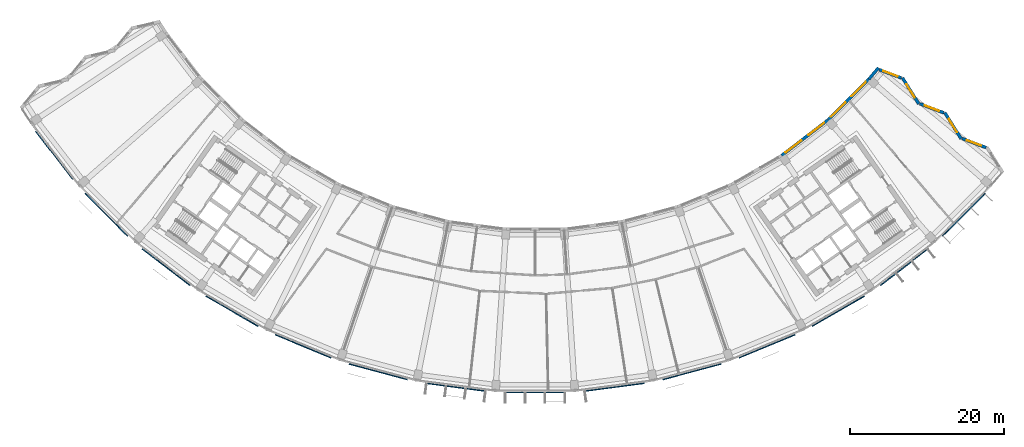
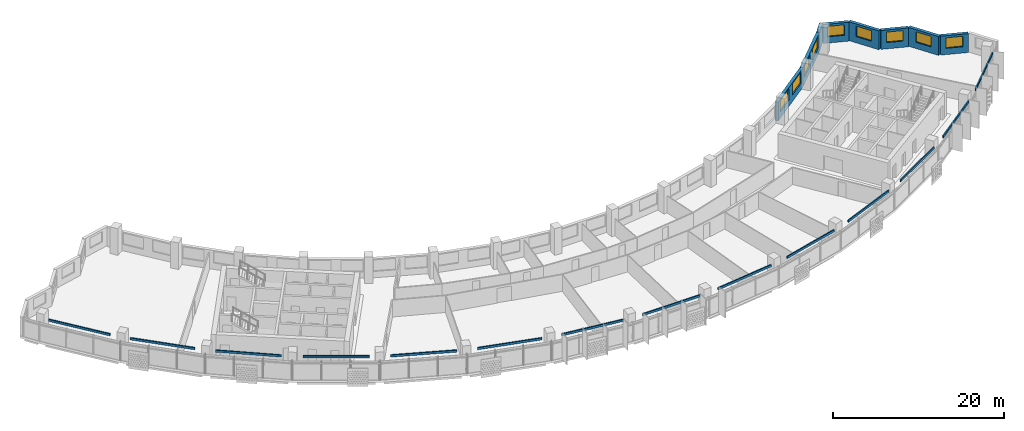
# One storey, part 8 of 27: 14 discrete accessories, 9 windows, 8 walls, 9 openings.
"""IFC4 building model written with IfcOpenShell, lengths in metres."""

from ifc_helpers import new_model, si_unit, direction, frame, frame_2d, origin, origin_2d, place, context, subcontext, project, spatial, rectangle, extrude, material, layer, layer_set, type_object, element, fill, save


model = new_model("IFC4")

# Units and contexts
model_context = context("Model", 3, precision=1e-05, world=origin(), true_north=direction((0.0, 1.0)))
body_context = subcontext(model_context, "Body", "Model", "MODEL_VIEW")
ifc_project = project(units=[si_unit("LENGTHUNIT", "METRE"), si_unit("AREAUNIT", "SQUARE_METRE"), si_unit("VOLUMEUNIT", "CUBIC_METRE"), si_unit("PLANEANGLEUNIT", "RADIAN"), si_unit("MASSUNIT", "GRAM", prefix="KILO")], contexts=[model_context])

# Site, building, storey
site_placement = place(None, origin())
site = spatial("IfcSite", under=ifc_project, at=site_placement, CompositionType="ELEMENT")
building_placement = place(site_placement, origin())
building = spatial("IfcBuilding", under=site, at=building_placement, Name="Qamariyya Broadcast Tower", CompositionType="ELEMENT")
storey_placement = place(building_placement, frame((0.0, 0.0, 222.699951171875)))
storey = spatial("IfcBuildingStorey", under=building, at=storey_placement, Name="L53", CompositionType="ELEMENT", Elevation=222.699951171875)

# Wall, opening, window
ifc_material_1 = material(Name="Terracotta", Category="masonry")
ifc_layer = layer(ifc_material_1, 0.39990234375)
ifc_layer_set = layer_set([ifc_layer], Name="Terracotta clad wall 400")
wall_type = type_object("IfcWallType", Name="Terracotta clad wall 400", PredefinedType="SOLIDWALL", material=ifc_layer_set)
wall_1_placement = place(storey_placement, frame((58.435302734375, -46.840087890625, 0.0), z_axis=(0.0, 0.0, 1.0), x_axis=(-0.935485659156, 0.353364657987, 0.0)))
wall_1 = element("IfcWall", 1, at=wall_1_placement, inside=storey, type_object=wall_type, Name="e-wl-L53-capE1", PredefinedType="SOLIDWALL", context=body_context, shape_type="SweptSolid", body=[
    extrude(rectangle(XDim=3.30517578125, YDim=0.39990234375, at=frame_2d((1.652587890625, 0.0))), origin(), (0.0, 0.0, 1.0), 2.699951171875),
])
opening_1_placement = place(wall_1_placement, frame((0.652587890625, 0.0, 0.89990234375)))
opening_1 = element("IfcOpeningElement", 2, at=opening_1_placement, cuts=wall_1, Name="Opening W4", PredefinedType="OPENING", context=body_context, shape_type="SweptSolid", body=[
    extrude(rectangle(XDim=2.0, YDim=1.5, at=frame_2d((1.0, 0.75))), frame((0.0, 0.2099609375, 0.0), z_axis=(0.0, -1.0, 0.0), x_axis=(1.0, 0.0, 0.0)), (0.0, 0.0, 1.0), 0.419921875),
])
ifc_material_2 = material(Name="Clear low-e double glazed unit in aluminium frame", Category="aluminium")
window_type_1 = type_object("IfcWindowType", Name="Horn bay window 2000 x 1500", PartitioningType="SINGLE_PANEL", PredefinedType="WINDOW", material=ifc_material_2)
window_1_placement = place(opening_1_placement, origin())
window_1 = element("IfcWindow", 3, at=window_1_placement, inside=storey, type_object=window_type_1, Name="e-w-L53-capE1", OverallHeight=1.5, OverallWidth=2.0, PartitioningType="SINGLE_PANEL", PredefinedType="WINDOW", context=body_context, shape_type="SweptSolid", body=[
    extrude(rectangle(XDim=2.0, YDim=1.5, at=frame_2d((1.0, 0.75))), frame((0.0, 0.030029296875, 0.0), z_axis=(0.0, -1.0, 0.0), x_axis=(1.0, 0.0, 0.0)), (0.0, 0.0, 1.0), 0.06005859375),
])
fill(opening_1, window_1)

wall_2_placement = place(storey_placement, frame((55.204345703125, -45.697509765625, 0.0), z_axis=(0.0, 0.0, 1.0), x_axis=(-0.529274083869, 0.848450908506, 0.0)))
wall_2 = element("IfcWall", 4, at=wall_2_placement, inside=storey, type_object=wall_type, Name="e-wl-L53-capE2", PredefinedType="SOLIDWALL", context=body_context, shape_type="SweptSolid", body=[
    extrude(rectangle(XDim=3.997314453125, YDim=0.39990234375, at=frame_2d((1.99853515625, 0.0))), origin(), (0.0, 0.0, 1.0), 2.699951171875),
])
opening_2_placement = place(wall_2_placement, frame((0.998779296875, 0.0, 0.89990234375)))
opening_2 = element("IfcOpeningElement", 5, at=opening_2_placement, cuts=wall_2, Name="Opening W4", PredefinedType="OPENING", context=body_context, shape_type="SweptSolid", body=[
    extrude(rectangle(XDim=2.0, YDim=1.5, at=frame_2d((1.0, 0.75))), frame((0.0, 0.2099609375, 0.0), z_axis=(0.0, -1.0, 0.0), x_axis=(1.0, 0.0, 0.0)), (0.0, 0.0, 1.0), 0.419921875),
])
window_2_placement = place(opening_2_placement, origin())
window_2 = element("IfcWindow", 6, at=window_2_placement, inside=storey, type_object=window_type_1, Name="e-w-L53-capE2", OverallHeight=1.5, OverallWidth=2.0, PartitioningType="SINGLE_PANEL", PredefinedType="WINDOW", context=body_context, shape_type="SweptSolid", body=[
    extrude(rectangle(XDim=2.0, YDim=1.5, at=frame_2d((1.0, 0.75))), frame((0.0, 0.030029296875, 0.0), z_axis=(0.0, -1.0, 0.0), x_axis=(1.0, 0.0, 0.0)), (0.0, 0.0, 1.0), 0.06005859375),
])
fill(opening_2, window_2)

wall_3_placement = place(storey_placement, frame((52.94970703125, -42.331298828125, 0.0), z_axis=(0.0, 0.0, 1.0), x_axis=(-0.935506827578, 0.353308612342, 0.0)))
wall_3 = element("IfcWall", 7, at=wall_3_placement, inside=storey, type_object=wall_type, Name="e-wl-L53-capE3", PredefinedType="SOLIDWALL", context=body_context, shape_type="SweptSolid", body=[
    extrude(rectangle(XDim=3.304443359375, YDim=0.39990234375, at=frame_2d((1.65234375, 0.0))), origin(), (0.0, 0.0, 1.0), 2.699951171875),
])
opening_3_placement = place(wall_3_placement, frame((0.652099609375, 0.0, 0.89990234375)))
opening_3 = element("IfcOpeningElement", 8, at=opening_3_placement, cuts=wall_3, Name="Opening W4", PredefinedType="OPENING", context=body_context, shape_type="SweptSolid", body=[
    extrude(rectangle(XDim=2.0, YDim=1.5, at=frame_2d((1.0, 0.75))), frame((0.0, 0.2099609375, 0.0), z_axis=(0.0, -1.0, 0.0), x_axis=(1.0, 0.0, 0.0)), (0.0, 0.0, 1.0), 0.419921875),
])
window_3_placement = place(opening_3_placement, origin())
window_3 = element("IfcWindow", 9, at=window_3_placement, inside=storey, type_object=window_type_1, Name="e-w-L53-capE3", OverallHeight=1.5, OverallWidth=2.0, PartitioningType="SINGLE_PANEL", PredefinedType="WINDOW", context=body_context, shape_type="SweptSolid", body=[
    extrude(rectangle(XDim=2.0, YDim=1.5, at=frame_2d((1.0, 0.75))), frame((0.0, 0.030029296875, 0.0), z_axis=(0.0, -1.0, 0.0), x_axis=(1.0, 0.0, 0.0)), (0.0, 0.0, 1.0), 0.06005859375),
])
fill(opening_3, window_3)

wall_4_placement = place(storey_placement, frame((49.719482421875, -41.189208984375, 0.0), z_axis=(0.0, 0.0, 1.0), x_axis=(-0.529411583227, 0.848365119241, 0.0)))
wall_4 = element("IfcWall", 10, at=wall_4_placement, inside=storey, type_object=wall_type, Name="e-wl-L53-capE4", PredefinedType="SOLIDWALL", context=body_context, shape_type="SweptSolid", body=[
    extrude(rectangle(XDim=3.998779296875, YDim=0.39990234375, at=frame_2d((1.99951171875, 0.0))), origin(), (0.0, 0.0, 1.0), 2.699951171875),
])
opening_4_placement = place(wall_4_placement, frame((0.999267578125, 0.0, 0.89990234375)))
opening_4 = element("IfcOpeningElement", 11, at=opening_4_placement, cuts=wall_4, Name="Opening W4", PredefinedType="OPENING", context=body_context, shape_type="SweptSolid", body=[
    extrude(rectangle(XDim=2.0, YDim=1.5, at=frame_2d((1.0, 0.75))), frame((0.0, 0.2099609375, 0.0), z_axis=(0.0, -1.0, 0.0), x_axis=(1.0, 0.0, 0.0)), (0.0, 0.0, 1.0), 0.419921875),
])
window_4_placement = place(opening_4_placement, origin())
window_4 = element("IfcWindow", 12, at=window_4_placement, inside=storey, type_object=window_type_1, Name="e-w-L53-capE4", OverallHeight=1.5, OverallWidth=2.0, PartitioningType="SINGLE_PANEL", PredefinedType="WINDOW", context=body_context, shape_type="SweptSolid", body=[
    extrude(rectangle(XDim=2.0, YDim=1.5, at=frame_2d((1.0, 0.75))), frame((0.0, 0.030029296875, 0.0), z_axis=(0.0, -1.0, 0.0), x_axis=(1.0, 0.0, 0.0)), (0.0, 0.0, 1.0), 0.06005859375),
])
fill(opening_4, window_4)

wall_5_placement = place(storey_placement, frame((47.463623046875, -37.822265625, 0.0), z_axis=(0.0, 0.0, 1.0), x_axis=(-0.935533058184, 0.353239149933, 0.0)))
wall_5 = element("IfcWall", 13, at=wall_5_placement, inside=storey, type_object=wall_type, Name="e-wl-L53-capE5", PredefinedType="SOLIDWALL", context=body_context, shape_type="SweptSolid", body=[
    extrude(rectangle(XDim=3.05908203125, YDim=0.39990234375, at=frame_2d((1.529541015625, 0.0))), origin(), (0.0, 0.0, 1.0), 2.699951171875),
])
opening_5_placement = place(wall_5_placement, frame((0.529541015625, 0.0, 0.89990234375)))
opening_5 = element("IfcOpeningElement", 14, at=opening_5_placement, cuts=wall_5, Name="Opening W4", PredefinedType="OPENING", context=body_context, shape_type="SweptSolid", body=[
    extrude(rectangle(XDim=2.0, YDim=1.5, at=frame_2d((1.0, 0.75))), frame((0.0, 0.2099609375, 0.0), z_axis=(0.0, -1.0, 0.0), x_axis=(1.0, 0.0, 0.0)), (0.0, 0.0, 1.0), 0.419921875),
])
window_5_placement = place(opening_5_placement, origin())
window_5 = element("IfcWindow", 15, at=window_5_placement, inside=storey, type_object=window_type_1, Name="e-w-L53-capE5", OverallHeight=1.5, OverallWidth=2.0, PartitioningType="SINGLE_PANEL", PredefinedType="WINDOW", context=body_context, shape_type="SweptSolid", body=[
    extrude(rectangle(XDim=2.0, YDim=1.5, at=frame_2d((1.0, 0.75))), frame((0.0, 0.030029296875, 0.0), z_axis=(0.0, -1.0, 0.0), x_axis=(1.0, 0.0, 0.0)), (0.0, 0.0, 1.0), 0.06005859375),
])
fill(opening_5, window_5)

# Wall, openings, windows
wall_6_placement = place(storey_placement, frame((37.965576171875, -43.25341796875, 0.0), z_axis=(0.0, 0.0, 1.0), x_axis=(-0.793356365089, -0.608757486995, 0.0)))
wall_6 = element("IfcWall", 16, at=wall_6_placement, inside=storey, type_object=wall_type, Name="e-wl-L53-in130", PredefinedType="SOLIDWALL", context=body_context, shape_type="SweptSolid", body=[
    extrude(rectangle(XDim=7.578125, YDim=0.39990234375, at=frame_2d((3.7890625, 0.0))), origin(), (0.0, 0.0, 1.0), 2.699951171875),
])
opening_6_placement = place(wall_6_placement, frame((4.364501953125, 0.0, 0.89990234375)))
opening_6 = element("IfcOpeningElement", 17, at=opening_6_placement, cuts=wall_6, Name="Opening W1", PredefinedType="OPENING", context=body_context, shape_type="SweptSolid", body=[
    extrude(rectangle(XDim=2.60009765625, YDim=1.64990234375, at=frame_2d((1.300048828125, 0.824951171875))), frame((0.0, 0.2099609375, 0.0), z_axis=(0.0, -1.0, 0.0), x_axis=(1.0, 0.0, 0.0)), (0.0, 0.0, 1.0), 0.419921875),
])
opening_7_placement = place(wall_6_placement, frame((0.613525390625, 0.0, 0.89990234375)))
opening_7 = element("IfcOpeningElement", 18, at=opening_7_placement, cuts=wall_6, Name="Opening W1", PredefinedType="OPENING", context=body_context, shape_type="SweptSolid", body=[
    extrude(rectangle(XDim=2.60009765625, YDim=1.64990234375, at=frame_2d((1.300048828125, 0.824951171875))), frame((0.0, 0.2099609375, 0.0), z_axis=(0.0, -1.0, 0.0), x_axis=(1.0, 0.0, 0.0)), (0.0, 0.0, 1.0), 0.419921875),
])
window_type_2 = type_object("IfcWindowType", Name="Ribbon window 2600 x 1650", PartitioningType="SINGLE_PANEL", PredefinedType="WINDOW", material=ifc_material_2)
window_6_placement = place(opening_6_placement, origin())
window_6 = element("IfcWindow", 19, at=window_6_placement, inside=storey, type_object=window_type_2, Name="e-w-L53-in13-0", OverallHeight=1.64990234375, OverallWidth=2.60009765625, PartitioningType="SINGLE_PANEL", PredefinedType="WINDOW", context=body_context, shape_type="SweptSolid", body=[
    extrude(rectangle(XDim=2.60009765625, YDim=1.64990234375, at=frame_2d((1.300048828125, 0.824951171875))), frame((0.0, 0.030029296875, 0.0), z_axis=(0.0, -1.0, 0.0), x_axis=(1.0, 0.0, 0.0)), (0.0, 0.0, 1.0), 0.06005859375),
])
fill(opening_6, window_6)
window_7_placement = place(opening_7_placement, origin())
window_7 = element("IfcWindow", 20, at=window_7_placement, inside=storey, type_object=window_type_2, Name="e-w-L53-in13-1", OverallHeight=1.64990234375, OverallWidth=2.60009765625, PartitioningType="SINGLE_PANEL", PredefinedType="WINDOW", context=body_context, shape_type="SweptSolid", body=[
    extrude(rectangle(XDim=2.60009765625, YDim=1.64990234375, at=frame_2d((1.300048828125, 0.824951171875))), frame((0.0, 0.030029296875, 0.0), z_axis=(0.0, -1.0, 0.0), x_axis=(1.0, 0.0, 0.0)), (0.0, 0.0, 1.0), 0.06005859375),
])
fill(opening_7, window_7)

wall_7_placement = place(storey_placement, frame((43.2431640625, -37.97119140625, 0.0), z_axis=(0.0, 0.0, 1.0), x_axis=(-0.707106781187, -0.707106781187, 0.0)))
wall_7 = element("IfcWall", 21, at=wall_7_placement, inside=storey, type_object=wall_type, Name="e-wl-L53-in140", PredefinedType="SOLIDWALL", context=body_context, shape_type="SweptSolid", body=[
    extrude(rectangle(XDim=7.441162109375, YDim=0.39990234375, at=frame_2d((3.720703125, 0.0))), origin(), (0.0, 0.0, 1.0), 2.699951171875),
])
opening_8_placement = place(wall_7_placement, frame((4.303466796875, 0.0, 0.89990234375)))
opening_8 = element("IfcOpeningElement", 22, at=opening_8_placement, cuts=wall_7, Name="Opening W1", PredefinedType="OPENING", context=body_context, shape_type="SweptSolid", body=[
    extrude(rectangle(XDim=2.60009765625, YDim=1.64990234375, at=frame_2d((1.300048828125, 0.824951171875))), frame((0.0, 0.2099609375, 0.0), z_axis=(0.0, -1.0, 0.0), x_axis=(1.0, 0.0, 0.0)), (0.0, 0.0, 1.0), 0.419921875),
])
opening_9_placement = place(wall_7_placement, frame((0.552490234375, 0.0, 0.89990234375)))
opening_9 = element("IfcOpeningElement", 23, at=opening_9_placement, cuts=wall_7, Name="Opening W1", PredefinedType="OPENING", context=body_context, shape_type="SweptSolid", body=[
    extrude(rectangle(XDim=2.60009765625, YDim=1.64990234375, at=frame_2d((1.300048828125, 0.824951171875))), frame((0.0, 0.2099609375, 0.0), z_axis=(0.0, -1.0, 0.0), x_axis=(1.0, 0.0, 0.0)), (0.0, 0.0, 1.0), 0.419921875),
])
window_8_placement = place(opening_8_placement, origin())
window_8 = element("IfcWindow", 24, at=window_8_placement, inside=storey, type_object=window_type_2, Name="e-w-L53-in14-0", OverallHeight=1.64990234375, OverallWidth=2.60009765625, PartitioningType="SINGLE_PANEL", PredefinedType="WINDOW", context=body_context, shape_type="SweptSolid", body=[
    extrude(rectangle(XDim=2.60009765625, YDim=1.64990234375, at=frame_2d((1.300048828125, 0.824951171875))), frame((0.0, 0.030029296875, 0.0), z_axis=(0.0, -1.0, 0.0), x_axis=(1.0, 0.0, 0.0)), (0.0, 0.0, 1.0), 0.06005859375),
])
fill(opening_8, window_8)
window_9_placement = place(opening_9_placement, origin())
window_9 = element("IfcWindow", 25, at=window_9_placement, inside=storey, type_object=window_type_2, Name="e-w-L53-in14-1", OverallHeight=1.64990234375, OverallWidth=2.60009765625, PartitioningType="SINGLE_PANEL", PredefinedType="WINDOW", context=body_context, shape_type="SweptSolid", body=[
    extrude(rectangle(XDim=2.60009765625, YDim=1.64990234375, at=frame_2d((1.300048828125, 0.824951171875))), frame((0.0, 0.030029296875, 0.0), z_axis=(0.0, -1.0, 0.0), x_axis=(1.0, 0.0, 0.0)), (0.0, 0.0, 1.0), 0.06005859375),
])
fill(opening_9, window_9)

# Wall
wall_8_placement = place(storey_placement, frame((44.489013671875, -36.5078125, 0.0), z_axis=(0.0, 0.0, 1.0), x_axis=(-0.647250483388, -0.762277385047, 0.0)))
element("IfcWall", 26, at=wall_8_placement, inside=storey, type_object=wall_type, Name="e-wl-L53-in150", PredefinedType="SOLIDWALL", context=body_context, shape_type="SweptSolid", body=[
    extrude(rectangle(XDim=1.906005859375, YDim=0.39990234375, at=frame_2d((0.953125, 0.0))), origin(), (0.0, 0.0, 1.0), 2.699951171875),
])

# Discrete accessories
ifc_material_3 = material(Name="Stainless steel 316", Category="steel")
discrete_accessory_type = type_object("IfcDiscreteAccessoryType", Name="Slab edge fixing angle, stainless steel", PredefinedType="BRACKET", material=ifc_material_3)
for number, where, z_axis, x_axis, name in (
    (27, (-62.3232421875, -47.822265625, 3.2998046875), (0.0, 0.0, 1.0), (0.608761429009, -0.793353340291, 0.0), "e-br-L53-01-0"),
    (28, (-55.5478515625, -55.5478515625, 3.2998046875), (0.0, 0.0, 1.0), (0.707106781187, -0.707106781187, 0.0), "e-br-L53-02-0"),
    (29, (-47.822265625, -62.3232421875, 3.2998046875), (0.0, 0.0, 1.0), (0.793353340291, -0.608761429009, 0.0), "e-br-L53-03-0"),
    (30, (-39.2783203125, -68.031982421875, 3.2998046875), (0.0, 0.0, 1.0), (0.866025403784, -0.5, 0.0), "e-br-L53-04-0"),
    (31, (-30.062255859375, -72.576904296875, 3.2998046875), (0.0, 0.0, 1.0), (0.923879532511, -0.382683432365, 0.0), "e-br-L53-05-0"),
    (32, (-20.33203125, -75.8798828125, 3.2998046875), (0.0, 0.0, 1.0), (0.965925826289, -0.258819045103, 0.0), "e-br-L53-06-0"),
    (33, (-10.253662109375, -77.884521484375, 3.2998046875), (0.0, 0.0, 1.0), (0.991444861374, -0.13052619222, 0.0), "e-br-L53-07-0"),
    (34, (0.0, -78.556640625, 3.2998046875), (0.0, 0.0, 1.0), (1.0, 0.0, 0.0), "e-br-L53-08-0"),
    (35, (10.253662109375, -77.884521484375, 3.2998046875), (0.0, 0.0, 1.0), (0.991444861374, 0.13052619222, 0.0), "e-br-L53-09-0"),
    (36, (20.33203125, -75.8798828125, 3.2998046875), (0.0, 0.0, 1.0), (0.965925826289, 0.258819045103, 0.0), "e-br-L53-10-0"),
    (37, (30.062255859375, -72.576904296875, 3.2998046875), (0.0, 0.0, 1.0), (0.923879532511, 0.382683432365, 0.0), "e-br-L53-11-0"),
    (38, (39.2783203125, -68.031982421875, 3.2998046875), (0.0, 0.0, 1.0), (0.866025403784, 0.5, 0.0), "e-br-L53-12-0"),
    (39, (47.822265625, -62.3232421875, 3.2998046875), (0.0, 0.0, 1.0), (0.793353340291, 0.608761429009, 0.0), "e-br-L53-13-0"),
    (40, (55.5478515625, -55.5478515625, 3.2998046875), (0.0, 0.0, 1.0), (0.707106781187, 0.707106781187, 0.0), "e-br-L53-14-0"),
):
    element("IfcDiscreteAccessory", number, at=place(storey_placement, frame(where, z_axis=z_axis, x_axis=x_axis)), inside=storey, type_object=discrete_accessory_type, Name=name, PredefinedType="BRACKET", context=body_context, shape_type="SweptSolid", body=[
        extrude(rectangle(XDim=7.81591796875, YDim=0.14990234375, at=origin_2d()), origin(), (0.0, 0.0, 1.0), 0.300048828125),
    ])

save(model, "model.ifc")
